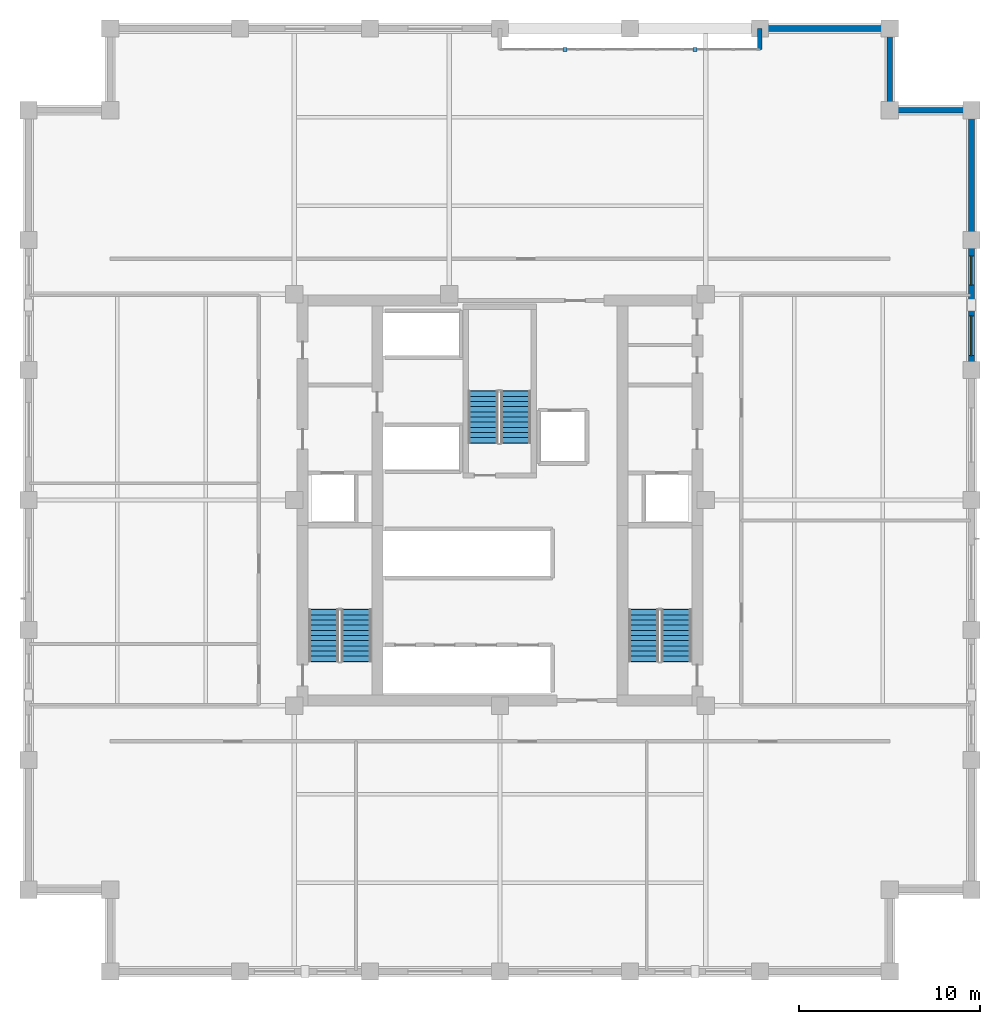
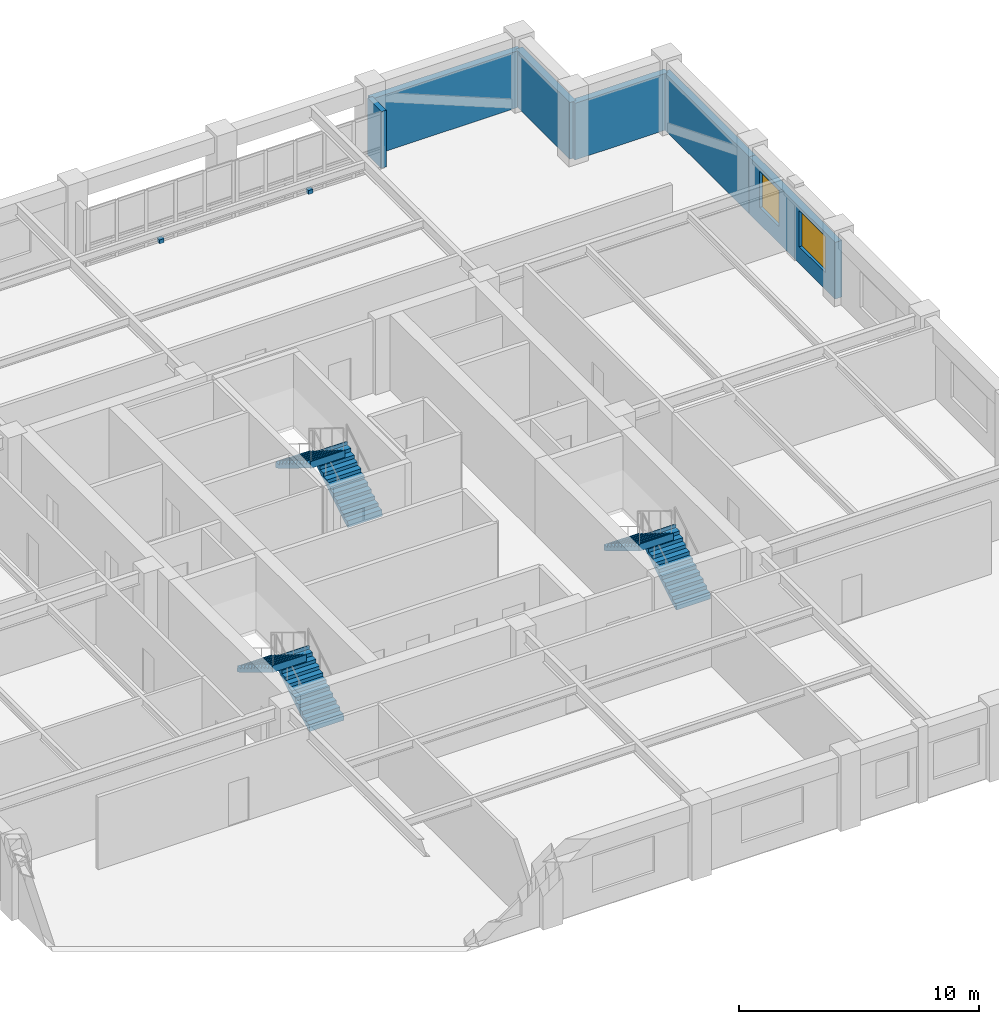
# One storey, part 9 of 11: 6 stair flights, 6 walls, 2 discrete accessories, 2 windows, 2 openings, 3 elements without a shape of their own.
"""IFC4 building model written with IfcOpenShell, lengths in metres."""

from ifc_helpers import new_model, si_unit, direction, frame, frame_2d, origin, origin_2d, place, context, subcontext, project, spatial, polyline, rectangle, outline, extrude, material, layer, layer_set, type_object, element, fill, aggregate, save


model = new_model("IFC4")

# Units and contexts
model_context = context("Model", 3, precision=1e-05, world=origin(), true_north=direction((0.0, 1.0)))
body_context = subcontext(model_context, "Body", "Model", "MODEL_VIEW")
ifc_project = project(units=[si_unit("LENGTHUNIT", "METRE"), si_unit("AREAUNIT", "SQUARE_METRE"), si_unit("VOLUMEUNIT", "CUBIC_METRE"), si_unit("PLANEANGLEUNIT", "RADIAN"), si_unit("MASSUNIT", "GRAM", prefix="KILO")], contexts=[model_context])

# Site, building, storey
site_placement = place(None, origin())
site = spatial("IfcSite", under=ifc_project, at=site_placement, CompositionType="ELEMENT")
building_placement = place(site_placement, origin())
building = spatial("IfcBuilding", under=site, at=building_placement, Name="Nhamokura Convention Tower", CompositionType="ELEMENT")
storey_placement = place(building_placement, frame((0.0, 0.0, 133.699951171875)))
storey = spatial("IfcBuildingStorey", under=building, at=storey_placement, Name="L32", CompositionType="ELEMENT", Elevation=133.699951171875)

# Walls
ifc_material_1 = material(Name="Bronze-pigmented precast concrete C45/55", Category="concrete")
ifc_layer = layer(ifc_material_1, 0.320068359375)
ifc_layer_set = layer_set([ifc_layer], Name="BronzePrecastSpandrel_320")
wall_type = type_object("IfcWallType", Name="BronzePrecastSpandrel_320", PredefinedType="USERDEFINED", material=ifc_layer_set)
wall_1_placement = place(storey_placement, frame((46.333251953125, 58.0, 0.0), z_axis=(0.0, 0.0, 1.0), x_axis=(0.0, -1.0, 0.0)))
element("IfcWall", 1, at=wall_1_placement, inside=storey, type_object=wall_type, Name="L32 Scale Slot Cheek Wall NORTHB", ObjectType="SPANDREL_WALL", PredefinedType="USERDEFINED", context=body_context, shape_type="SweptSolid", body=[
    extrude(rectangle(XDim=1.14990234375, YDim=0.239990234375, at=frame_2d((0.574951171875, 0.0))), origin(), (0.0, 0.0, 1.0), 2.885009765625),
])
wall_2_placement = place(storey_placement, frame((46.333251953125, 58.0, 0.0), z_axis=(0.0, 0.0, 1.0), x_axis=(1.0, 0.0, 0.0)))
element("IfcWall", 2, at=wall_2_placement, inside=storey, type_object=wall_type, Name="L32 Braced-Bay Precast Wall NORTH 5", ObjectType="SPANDREL_WALL", PredefinedType="USERDEFINED", context=body_context, shape_type="SweptSolid", body=[
    extrude(rectangle(XDim=7.166748046875, YDim=0.320068359375, at=frame_2d((3.58349609375, 0.0))), origin(), (0.0, 0.0, 1.0), 2.885009765625),
])

# Wall, openings, windows
wall_3_placement = place(storey_placement, frame((58.0, 46.333251953125, 0.0), z_axis=(0.0, 0.0, 1.0), x_axis=(0.0, -1.0, 0.0)))
wall_3 = element("IfcWall", 3, at=wall_3_placement, inside=storey, type_object=wall_type, Name="L32 Masonry-Frame Wall EAST 4", ObjectType="SPANDREL_WALL", PredefinedType="USERDEFINED", context=body_context, shape_type="SweptSolid", body=[
    extrude(rectangle(XDim=7.16650390625, YDim=0.320068359375, at=frame_2d((3.583251953125, 0.0))), origin(), (0.0, 0.0, 1.0), 2.885009765625),
])
opening_1_placement = place(wall_3_placement, frame((0.879150390625, 0.0, 0.85009765625)))
opening_1 = element("IfcOpeningElement", 4, at=opening_1_placement, cuts=wall_3, Name="Opening W-11", PredefinedType="OPENING", context=body_context, shape_type="SweptSolid", body=[
    extrude(rectangle(XDim=1.60009765625, YDim=1.8349609375, at=frame_2d((0.800048828125, 0.91748046875))), frame((0.0, 0.169921875, 0.0), z_axis=(0.0, -1.0, 0.0), x_axis=(1.0, 0.0, 0.0)), (0.0, 0.0, 1.0), 0.340087890625),
])
opening_2_placement = place(wall_3_placement, frame((4.175048828125, 0.0, 0.85009765625)))
opening_2 = element("IfcOpeningElement", 5, at=opening_2_placement, cuts=wall_3, Name="Opening W-06", PredefinedType="OPENING", context=body_context, shape_type="SweptSolid", body=[
    extrude(rectangle(XDim=2.199951171875, YDim=1.8349609375, at=frame_2d((1.10009765625, 0.91748046875))), frame((0.0, 0.169921875, 0.0), z_axis=(0.0, -1.0, 0.0), x_axis=(1.0, 0.0, 0.0)), (0.0, 0.0, 1.0), 0.340087890625),
])
ifc_material_2 = material(Name="Solar-control bronze low-E double glass", Category="glass")
window_type_1 = type_object("IfcWindowType", Name="NotchCornerWindow_1600", PartitioningType="SINGLE_PANEL", PredefinedType="WINDOW", material=ifc_material_2)
window_1_placement = place(opening_1_placement, origin())
window_1 = element("IfcWindow", 6, at=window_1_placement, inside=storey, type_object=window_type_1, Name="L32 Facade Window EAST 4-1", OverallHeight=1.8349609375, OverallWidth=1.60009765625, PartitioningType="SINGLE_PANEL", PredefinedType="WINDOW", context=body_context, shape_type="SweptSolid", body=[
    extrude(rectangle(XDim=1.60009765625, YDim=1.8349609375, at=frame_2d((0.800048828125, 0.91748046875))), frame((0.0, 0.030029296875, 0.0), z_axis=(0.0, -1.0, 0.0), x_axis=(1.0, 0.0, 0.0)), (0.0, 0.0, 1.0), 0.06005859375),
])
fill(opening_1, window_1)
ifc_material_3 = material(Name="Solar-control bronze low-E double glass", Category="glass")
window_type_2 = type_object("IfcWindowType", Name="OfficeModuleWindow_Z2_2200", PartitioningType="SINGLE_PANEL", PredefinedType="WINDOW", material=ifc_material_3)
window_2_placement = place(opening_2_placement, origin())
window_2 = element("IfcWindow", 7, at=window_2_placement, inside=storey, type_object=window_type_2, Name="L32 Facade Window EAST 4-2", OverallHeight=1.8349609375, OverallWidth=2.199951171875, PartitioningType="SINGLE_PANEL", PredefinedType="WINDOW", context=body_context, shape_type="SweptSolid", body=[
    extrude(rectangle(XDim=2.199951171875, YDim=1.8349609375, at=frame_2d((1.10009765625, 0.91748046875))), frame((0.0, 0.030029296875, 0.0), z_axis=(0.0, -1.0, 0.0), x_axis=(1.0, 0.0, 0.0)), (0.0, 0.0, 1.0), 0.06005859375),
])
fill(opening_2, window_2)

# Walls
wall_4_placement = place(storey_placement, frame((58.0, 53.5, 0.0), z_axis=(0.0, 0.0, 1.0), x_axis=(0.0, -1.0, 0.0)))
element("IfcWall", 8, at=wall_4_placement, inside=storey, type_object=wall_type, Name="L32 Braced-Bay Precast Wall EAST 5", ObjectType="SPANDREL_WALL", PredefinedType="USERDEFINED", context=body_context, shape_type="SweptSolid", body=[
    extrude(rectangle(XDim=7.166748046875, YDim=0.320068359375, at=frame_2d((3.58349609375, 0.0))), origin(), (0.0, 0.0, 1.0), 2.885009765625),
])
for number, where, z_axis, x_axis, name in (
    (9, (53.5, 53.5, 0.0), (0.0, 0.0, 1.0), (1.0, 0.0, 0.0), "L32 Notched Corner Wall NE1"),
    (10, (53.5, 58.0, 0.0), (0.0, 0.0, 1.0), (0.0, -1.0, 0.0), "L32 Notched Corner Wall NE2"),
):
    element("IfcWall", number, at=place(storey_placement, frame(where, z_axis=z_axis, x_axis=x_axis)), inside=storey, type_object=wall_type, Name=name, ObjectType="SPANDREL_WALL", PredefinedType="USERDEFINED", context=body_context, shape_type="SweptSolid", body=[
        extrude(rectangle(XDim=4.5, YDim=0.320068359375, at=frame_2d((2.25, 0.0))), origin(), (0.0, 0.0, 1.0), 2.885009765625),
    ])

# Stair, stair flights
ifc_material_4 = material(Name="Concrete C40/50", Category="concrete")
stair_type = type_object("IfcStairType", Name="TowerCoreStair_1650", PredefinedType="HALF_TURN_STAIR", material=ifc_material_4)
stair_1_placement = place(storey_placement, origin())
stair_1 = element("IfcStair", 11, at=stair_1_placement, inside=storey, type_object=stair_type, Name="L32 West Core Smokeproof Stair ST-01", PredefinedType="HALF_TURN_STAIR")
ifc_material_5 = material(Name="Concrete C40/50", Category="concrete")
stair_flight_type = type_object("IfcStairFlightType", Name="TowerCoreStair_1650_Flight", PredefinedType="STRAIGHT", material=ifc_material_5)
stair_flight_1_placement = place(storey_placement, frame((24.074951171875, 23.10009765625, 0.0), z_axis=(0.0, 0.0, 1.0), x_axis=(0.0, 1.0, 0.0)))
stair_flight_1 = element("IfcStairFlight", 12, at=stair_flight_1_placement, type_object=stair_flight_type, Name="ST-01 flight 1", NumberOfRisers=11, NumberOfTreads=10, PredefinedType="STRAIGHT", RiserHeight=0.175, TreadLength=0.285, context=body_context, shape_type="SweptSolid", body=[
    extrude(outline(polyline([(-0.0419921875, 0.0), (0.0, 0.175048828125), (0.284912109375, 0.175048828125), (0.284912109375, 0.35009765625), (0.570068359375, 0.35009765625), (0.570068359375, 0.52490234375), (0.85498046875, 0.52490234375), (0.85498046875, 0.699951171875), (1.139892578125, 0.699951171875), (1.139892578125, 0.875), (1.425048828125, 0.875), (1.425048828125, 1.050048828125), (1.7099609375, 1.050048828125), (1.7099609375, 1.22509765625), (1.9951171875, 1.22509765625), (1.9951171875, 1.39990234375), (2.280029296875, 1.39990234375), (2.280029296875, 1.574951171875), (2.56494140625, 1.574951171875), (2.56494140625, 1.75), (2.85009765625, 1.75), (2.85009765625, 1.925048828125), (2.89208984375, 1.925048828125), (2.89208984375, 1.573974609375), (2.85009765625, 1.573974609375), (0.286376953125, 0.0), (0.02001953125, -0.1298828125), (-0.0419921875, -0.1298828125), (-0.0419921875, 0.0)])), frame((0.0, 0.824951171875, 0.0), z_axis=(0.0, -1.0, 0.0), x_axis=(1.0, 0.0, 0.0)), (0.0, 0.0, 1.0), 1.64990234375),
])
stair_flight_2_placement = place(storey_placement, frame((22.27490234375, 25.949951171875, 1.925048828125), z_axis=(0.0, 0.0, 1.0), x_axis=(0.0, -1.0, 0.0)))
stair_flight_2 = element("IfcStairFlight", 13, at=stair_flight_2_placement, type_object=stair_flight_type, Name="ST-01 flight 2", NumberOfRisers=11, NumberOfTreads=10, PredefinedType="STRAIGHT", RiserHeight=0.175, TreadLength=0.285, context=body_context, shape_type="SweptSolid", body=[
    extrude(outline(polyline([(-0.0419921875, 0.0), (0.0, 0.175048828125), (0.284912109375, 0.175048828125), (0.284912109375, 0.35009765625), (0.570068359375, 0.35009765625), (0.570068359375, 0.52490234375), (0.85498046875, 0.52490234375), (0.85498046875, 0.699951171875), (1.139892578125, 0.699951171875), (1.139892578125, 0.875), (1.425048828125, 0.875), (1.425048828125, 1.050048828125), (1.7099609375, 1.050048828125), (1.7099609375, 1.22509765625), (1.9951171875, 1.22509765625), (1.9951171875, 1.39990234375), (2.280029296875, 1.39990234375), (2.280029296875, 1.574951171875), (2.56494140625, 1.574951171875), (2.56494140625, 1.75), (2.85009765625, 1.75), (2.85009765625, 1.925048828125), (2.89208984375, 1.925048828125), (2.89208984375, 1.573974609375), (2.85009765625, 1.573974609375), (0.286376953125, 0.0), (0.02001953125, -0.1298828125), (-0.0419921875, -0.1298828125), (-0.0419921875, 0.0)])), frame((0.0, 0.824951171875, 0.0), z_axis=(0.0, -1.0, 0.0), x_axis=(1.0, 0.0, 0.0)), (0.0, 0.0, 1.0), 1.64990234375),
])
aggregate(stair_1, [stair_flight_1, stair_flight_2])

stair_2_placement = place(storey_placement, origin())
stair_2 = element("IfcStair", 14, at=stair_2_placement, inside=storey, type_object=stair_type, Name="L32 East Core Smokeproof Stair ST-02", PredefinedType="HALF_TURN_STAIR")
stair_flight_3_placement = place(storey_placement, frame((41.72509765625, 23.10009765625, 0.0), z_axis=(0.0, 0.0, 1.0), x_axis=(0.0, 1.0, 0.0)))
stair_flight_3 = element("IfcStairFlight", 15, at=stair_flight_3_placement, type_object=stair_flight_type, Name="ST-02 flight 1", NumberOfRisers=11, NumberOfTreads=10, PredefinedType="STRAIGHT", RiserHeight=0.175, TreadLength=0.285, context=body_context, shape_type="SweptSolid", body=[
    extrude(outline(polyline([(-0.0419921875, 0.0), (0.0, 0.175048828125), (0.284912109375, 0.175048828125), (0.284912109375, 0.35009765625), (0.570068359375, 0.35009765625), (0.570068359375, 0.52490234375), (0.85498046875, 0.52490234375), (0.85498046875, 0.699951171875), (1.139892578125, 0.699951171875), (1.139892578125, 0.875), (1.425048828125, 0.875), (1.425048828125, 1.050048828125), (1.7099609375, 1.050048828125), (1.7099609375, 1.22509765625), (1.9951171875, 1.22509765625), (1.9951171875, 1.39990234375), (2.280029296875, 1.39990234375), (2.280029296875, 1.574951171875), (2.56494140625, 1.574951171875), (2.56494140625, 1.75), (2.85009765625, 1.75), (2.85009765625, 1.925048828125), (2.89208984375, 1.925048828125), (2.89208984375, 1.573974609375), (2.85009765625, 1.573974609375), (0.286376953125, 0.0), (0.02001953125, -0.1298828125), (-0.0419921875, -0.1298828125), (-0.0419921875, 0.0)])), frame((0.0, 0.824951171875, 0.0), z_axis=(0.0, -1.0, 0.0), x_axis=(1.0, 0.0, 0.0)), (0.0, 0.0, 1.0), 1.64990234375),
])
stair_flight_4_placement = place(storey_placement, frame((39.925048828125, 25.949951171875, 1.925048828125), z_axis=(0.0, 0.0, 1.0), x_axis=(0.0, -1.0, 0.0)))
stair_flight_4 = element("IfcStairFlight", 16, at=stair_flight_4_placement, type_object=stair_flight_type, Name="ST-02 flight 2", NumberOfRisers=11, NumberOfTreads=10, PredefinedType="STRAIGHT", RiserHeight=0.175, TreadLength=0.285, context=body_context, shape_type="SweptSolid", body=[
    extrude(outline(polyline([(-0.0419921875, 0.0), (0.0, 0.175048828125), (0.284912109375, 0.175048828125), (0.284912109375, 0.35009765625), (0.570068359375, 0.35009765625), (0.570068359375, 0.52490234375), (0.85498046875, 0.52490234375), (0.85498046875, 0.699951171875), (1.139892578125, 0.699951171875), (1.139892578125, 0.875), (1.425048828125, 0.875), (1.425048828125, 1.050048828125), (1.7099609375, 1.050048828125), (1.7099609375, 1.22509765625), (1.9951171875, 1.22509765625), (1.9951171875, 1.39990234375), (2.280029296875, 1.39990234375), (2.280029296875, 1.574951171875), (2.56494140625, 1.574951171875), (2.56494140625, 1.75), (2.85009765625, 1.75), (2.85009765625, 1.925048828125), (2.89208984375, 1.925048828125), (2.89208984375, 1.573974609375), (2.85009765625, 1.573974609375), (0.286376953125, 0.0), (0.02001953125, -0.1298828125), (-0.0419921875, -0.1298828125), (-0.0419921875, 0.0)])), frame((0.0, 0.824951171875, 0.0), z_axis=(0.0, -1.0, 0.0), x_axis=(1.0, 0.0, 0.0)), (0.0, 0.0, 1.0), 1.64990234375),
])
aggregate(stair_2, [stair_flight_3, stair_flight_4])

stair_3_placement = place(storey_placement, origin())
stair_3 = element("IfcStair", 17, at=stair_3_placement, inside=storey, type_object=stair_type, Name="L32 North Core Smokeproof Stair ST-03", PredefinedType="HALF_TURN_STAIR")
stair_flight_5_placement = place(storey_placement, frame((32.875, 35.14990234375, 0.0), z_axis=(0.0, 0.0, 1.0), x_axis=(0.0, 1.0, 0.0)))
stair_flight_5 = element("IfcStairFlight", 18, at=stair_flight_5_placement, type_object=stair_flight_type, Name="ST-03 flight 1", NumberOfRisers=11, NumberOfTreads=10, PredefinedType="STRAIGHT", RiserHeight=0.175, TreadLength=0.285, context=body_context, shape_type="SweptSolid", body=[
    extrude(outline(polyline([(-0.0419921875, 0.0), (0.0, 0.175048828125), (0.284912109375, 0.175048828125), (0.284912109375, 0.35009765625), (0.570068359375, 0.35009765625), (0.570068359375, 0.52490234375), (0.85498046875, 0.52490234375), (0.85498046875, 0.699951171875), (1.139892578125, 0.699951171875), (1.139892578125, 0.875), (1.425048828125, 0.875), (1.425048828125, 1.050048828125), (1.7099609375, 1.050048828125), (1.7099609375, 1.22509765625), (1.9951171875, 1.22509765625), (1.9951171875, 1.39990234375), (2.280029296875, 1.39990234375), (2.280029296875, 1.574951171875), (2.56494140625, 1.574951171875), (2.56494140625, 1.75), (2.85009765625, 1.75), (2.85009765625, 1.925048828125), (2.89208984375, 1.925048828125), (2.89208984375, 1.573974609375), (2.85009765625, 1.573974609375), (0.286376953125, 0.0), (0.02001953125, -0.1298828125), (-0.0419921875, -0.1298828125), (-0.0419921875, 0.0)])), frame((0.0, 0.824951171875, 0.0), z_axis=(0.0, -1.0, 0.0), x_axis=(1.0, 0.0, 0.0)), (0.0, 0.0, 1.0), 1.64990234375),
])
stair_flight_6_placement = place(storey_placement, frame((31.074951171875, 38.0, 1.925048828125), z_axis=(0.0, 0.0, 1.0), x_axis=(0.0, -1.0, 0.0)))
stair_flight_6 = element("IfcStairFlight", 19, at=stair_flight_6_placement, type_object=stair_flight_type, Name="ST-03 flight 2", NumberOfRisers=11, NumberOfTreads=10, PredefinedType="STRAIGHT", RiserHeight=0.175, TreadLength=0.285, context=body_context, shape_type="SweptSolid", body=[
    extrude(outline(polyline([(-0.0419921875, 0.0), (0.0, 0.175048828125), (0.284912109375, 0.175048828125), (0.284912109375, 0.35009765625), (0.570068359375, 0.35009765625), (0.570068359375, 0.52490234375), (0.85498046875, 0.52490234375), (0.85498046875, 0.699951171875), (1.139892578125, 0.699951171875), (1.139892578125, 0.875), (1.425048828125, 0.875), (1.425048828125, 1.050048828125), (1.7099609375, 1.050048828125), (1.7099609375, 1.22509765625), (1.9951171875, 1.22509765625), (1.9951171875, 1.39990234375), (2.280029296875, 1.39990234375), (2.280029296875, 1.574951171875), (2.56494140625, 1.574951171875), (2.56494140625, 1.75), (2.85009765625, 1.75), (2.85009765625, 1.925048828125), (2.89208984375, 1.925048828125), (2.89208984375, 1.573974609375), (2.85009765625, 1.573974609375), (0.286376953125, 0.0), (0.02001953125, -0.1298828125), (-0.0419921875, -0.1298828125), (-0.0419921875, 0.0)])), frame((0.0, 0.824951171875, 0.0), z_axis=(0.0, -1.0, 0.0), x_axis=(1.0, 0.0, 0.0)), (0.0, 0.0, 1.0), 1.64990234375),
])
aggregate(stair_3, [stair_flight_5, stair_flight_6])

# Discrete accessories
ifc_material_6 = material(Name="Steel ASTM A572 Gr 50", Category="steel")
discrete_accessory_type = type_object("IfcDiscreteAccessoryType", Name="FacadeOutstandBracket", PredefinedType="BRACKET", material=ifc_material_6)
for number, where, z_axis, x_axis, name in (
    (20, (35.583251953125, 56.85009765625, -0.02001953125), (0.0, 0.0, 1.0), (1.0, 0.0, 0.0), "L32 Scale Slot Base Shoe Bracket NORTH 3"),
    (21, (42.75, 56.85009765625, -0.02001953125), (0.0, 0.0, 1.0), (1.0, 0.0, 0.0), "L32 Scale Slot Base Shoe Bracket NORTH 4"),
):
    element("IfcDiscreteAccessory", number, at=place(storey_placement, frame(where, z_axis=z_axis, x_axis=x_axis)), inside=storey, type_object=discrete_accessory_type, Name=name, PredefinedType="BRACKET", context=body_context, shape_type="SweptSolid", body=[
        extrude(rectangle(XDim=0.219970703125, YDim=0.219970703125, at=origin_2d()), origin(), (0.0, 0.0, 1.0), 0.199951171875),
    ])

save(model, "model.ifc")
